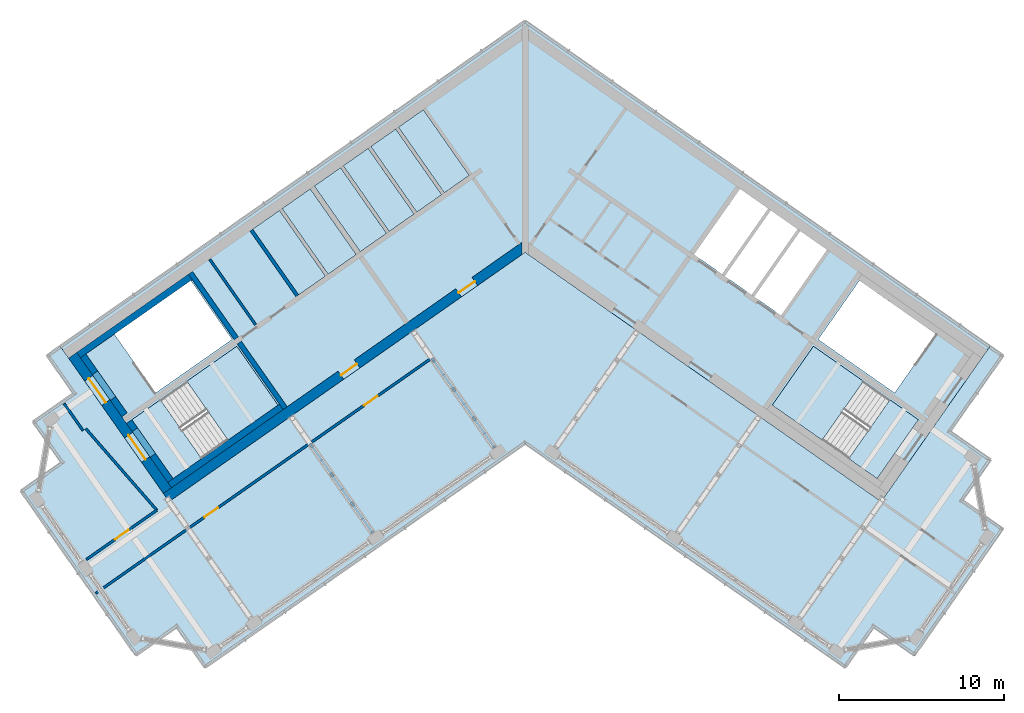
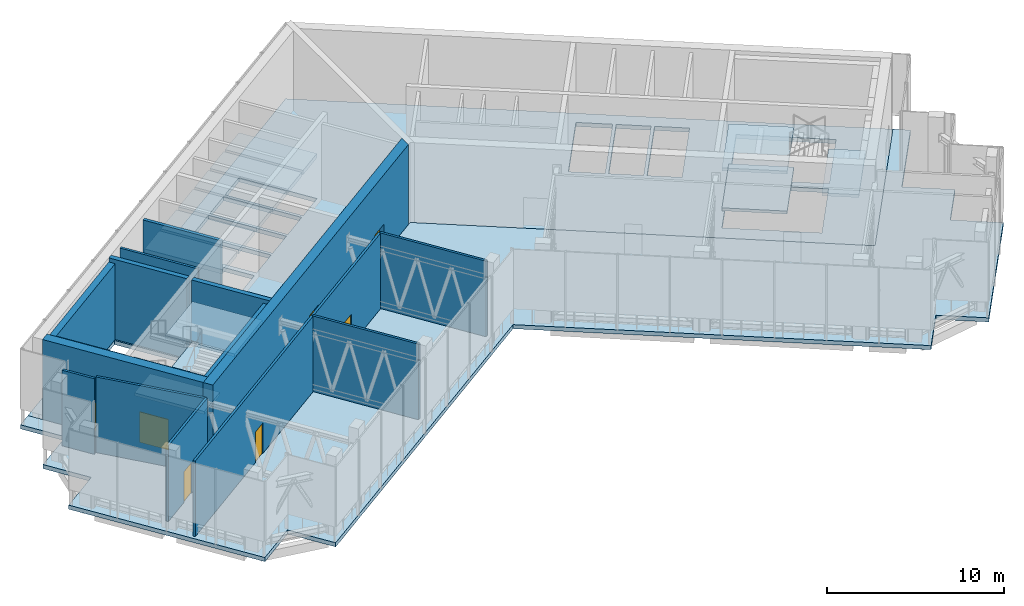
# One storey, part 3 of 16: 21 walls, 14 slabs, 7 doors, 7 openings, 2 elements without a shape of their own.
"""IFC4 building model written with IfcOpenShell, lengths in metres."""

from ifc_helpers import new_model, si_unit, direction, frame, frame_2d, origin, place, context, subcontext, project, spatial, polyline, rectangle, outline, extrude, material, layer, layer_set, type_object, element, fill, aggregate, save


model = new_model("IFC4")

# Units and contexts
model_context = context("Model", 3, precision=1e-05, world=origin(), true_north=direction((0.0, 1.0)))
body_context = subcontext(model_context, "Body", "Model", "MODEL_VIEW")
ifc_project = project(units=[si_unit("LENGTHUNIT", "METRE"), si_unit("AREAUNIT", "SQUARE_METRE"), si_unit("VOLUMEUNIT", "CUBIC_METRE"), si_unit("PLANEANGLEUNIT", "RADIAN"), si_unit("MASSUNIT", "GRAM", prefix="KILO")], contexts=[model_context])

# Site, building, storey
site_placement = place(None, origin())
site = spatial("IfcSite", under=ifc_project, at=site_placement, CompositionType="ELEMENT")
building_placement = place(site_placement, origin())
building = spatial("IfcBuilding", under=site, at=building_placement, Name="Tel Ilan Convention Tower", CompositionType="ELEMENT")
storey_placement = place(building_placement, frame((0.0, 0.0, 313.300048828125)))
storey = spatial("IfcBuildingStorey", under=building, at=storey_placement, Name="L74", CompositionType="ELEMENT", Elevation=313.300048828125)

# Stair, slabs
ifc_material_1 = material(Name="Concrete C40/50", Category="concrete")
stair_type = type_object("IfcStairType", Name="Pressurised Exit Stair 32 risers 172 mm", PredefinedType="HALF_TURN_STAIR", material=ifc_material_1)
stair_1_placement = place(storey_placement, origin())
stair_1 = element("IfcStair", 1, at=stair_1_placement, inside=storey, type_object=stair_type, Name="L74 Pressurised Stair S2", PredefinedType="HALF_TURN_STAIR")
ifc_material_2 = material(Name="Concrete C40/50", Category="concrete")
ifc_layer_1 = layer(ifc_material_2, 0.199951171875)
ifc_layer_set_1 = layer_set([ifc_layer_1], Name="Concrete Stair Landing 200 mm C40/50")
slab_type_1 = type_object("IfcSlabType", Name="Concrete Stair Landing 200 mm", PredefinedType="LANDING", material=ifc_layer_set_1)
slab_1_placement = place(storey_placement, frame((0.0, 0.0, 1.175048828125)))
slab_1 = element("IfcSlab", 2, at=slab_1_placement, type_object=slab_type_1, Name="S2 landing 1", PredefinedType="LANDING", context=body_context, shape_type="SweptSolid", body=[
    extrude(outline(polyline([(-17.972900390625, -12.584716796875), (-14.949462890625, -10.4677734375), (-17.444580078125, -6.904541015625), (-20.468017578125, -9.021484375), (-17.972900390625, -12.584716796875)])), origin(), (0.0, 0.0, 1.0), 0.199951171875),
])
slab_2_placement = place(storey_placement, frame((0.0, 0.0, 2.550048828125)))
slab_2 = element("IfcSlab", 3, at=slab_2_placement, type_object=slab_type_1, Name="S2 landing 2", PredefinedType="LANDING", context=body_context, shape_type="SweptSolid", body=[
    extrude(outline(polyline([(-21.2978515625, -14.9130859375), (-19.5771484375, -13.7080078125), (-22.072021484375, -10.144775390625), (-23.79296875, -11.349609375), (-21.2978515625, -14.9130859375)])), origin(), (0.0, 0.0, 1.0), 0.199951171875),
])
slab_3_placement = place(storey_placement, frame((0.0, 0.0, 3.925048828125)))
slab_3 = element("IfcSlab", 4, at=slab_3_placement, type_object=slab_type_1, Name="S2 landing 3", PredefinedType="LANDING", context=body_context, shape_type="SweptSolid", body=[
    extrude(outline(polyline([(-17.972900390625, -12.584716796875), (-14.949462890625, -10.4677734375), (-17.444580078125, -6.904541015625), (-20.468017578125, -9.021484375), (-17.972900390625, -12.584716796875)])), origin(), (0.0, 0.0, 1.0), 0.199951171875),
])
aggregate(stair_1, [slab_1, slab_2, slab_3])

stair_2_placement = place(storey_placement, origin())
stair_2 = element("IfcStair", 5, at=stair_2_placement, inside=storey, type_object=stair_type, Name="L74 Pressurised Stair S4", PredefinedType="HALF_TURN_STAIR")
slab_4_placement = place(storey_placement, frame((0.0, 0.0, 1.175048828125)))
slab_4 = element("IfcSlab", 6, at=slab_4_placement, type_object=slab_type_1, Name="S4 landing 1", PredefinedType="LANDING", context=body_context, shape_type="SweptSolid", body=[
    extrude(outline(polyline([(20.468017578125, -9.021484375), (17.444580078125, -6.904541015625), (14.949462890625, -10.4677734375), (17.972900390625, -12.584716796875), (20.468017578125, -9.021484375)])), origin(), (0.0, 0.0, 1.0), 0.199951171875),
])
slab_5_placement = place(storey_placement, frame((0.0, 0.0, 2.550048828125)))
slab_5 = element("IfcSlab", 7, at=slab_5_placement, type_object=slab_type_1, Name="S4 landing 2", PredefinedType="LANDING", context=body_context, shape_type="SweptSolid", body=[
    extrude(outline(polyline([(23.79296875, -11.349609375), (22.072021484375, -10.144775390625), (19.5771484375, -13.7080078125), (21.2978515625, -14.9130859375), (23.79296875, -11.349609375)])), origin(), (0.0, 0.0, 1.0), 0.199951171875),
])
slab_6_placement = place(storey_placement, frame((0.0, 0.0, 3.925048828125)))
slab_6 = element("IfcSlab", 8, at=slab_6_placement, type_object=slab_type_1, Name="S4 landing 3", PredefinedType="LANDING", context=body_context, shape_type="SweptSolid", body=[
    extrude(outline(polyline([(20.468017578125, -9.021484375), (17.444580078125, -6.904541015625), (14.949462890625, -10.4677734375), (17.972900390625, -12.584716796875), (20.468017578125, -9.021484375)])), origin(), (0.0, 0.0, 1.0), 0.199951171875),
])
aggregate(stair_2, [slab_4, slab_5, slab_6])

# Slabs
ifc_material_3 = material(Name="Concrete C40/50", Category="concrete")
ifc_layer_2 = layer(ifc_material_3, 0.280029296875)
ifc_layer_set_2 = layer_set([ifc_layer_2], Name="Core Floor Slab 280 mm C40/50")
slab_type_2 = type_object("IfcSlabType", Name="Core Floor Slab 280 mm C40/50", PredefinedType="FLOOR", material=ifc_layer_set_2)
slab_7_placement = place(storey_placement, frame((0.0, 0.0, -0.280029296875)))
element("IfcSlab", 9, at=slab_7_placement, inside=storey, type_object=slab_type_2, Name="L74 core floor 1", PredefinedType="FLOOR", context=body_context, shape_type="SweptSolid", body=[
    extrude(outline(polyline([(28.1396484375, -6.885498046875), (21.54345703125, -16.3056640625), (0.0, -1.220703125), (-21.54345703125, -16.3056640625), (-28.1396484375, -6.885498046875), (0.0, 12.818115234375), (28.1396484375, -6.885498046875)]), holes=[polyline([(-17.444580078125, -6.904541015625), (-22.072021484375, -10.144775390625), (-19.5771484375, -13.7080078125), (-14.949462890625, -10.4677734375), (-17.444580078125, -6.904541015625)]), polyline([(-17.7314453125, -6.494873046875), (-20.226318359375, -2.931640625), (-24.85400390625, -6.171875), (-22.35888671875, -9.735107421875), (-17.7314453125, -6.494873046875)]), polyline([(-14.864990234375, 1.310791015625), (-16.48291015625, 0.177978515625), (-13.701171875, -3.794921875), (-12.083251953125, -2.662109375), (-14.864990234375, 1.310791015625)]), polyline([(-14.701416015625, 1.425537109375), (-11.91943359375, -2.54736328125), (-10.2197265625, -1.357421875), (-13.001708984375, 2.615478515625), (-14.701416015625, 1.425537109375)]), polyline([(-11.168701171875, 3.89892578125), (-12.755859375, 2.78759765625), (-9.97412109375, -1.185302734375), (-8.386962890625, -0.073974609375), (-11.168701171875, 3.89892578125)]), polyline([(-9.499755859375, 5.067626953125), (-11.0048828125, 4.013671875), (-8.222900390625, 0.040771484375), (-6.718017578125, 1.0947265625), (-9.499755859375, 5.067626953125)]), polyline([(-9.3359375, 5.182373046875), (-6.553955078125, 1.20947265625), (-5.048828125, 2.263427734375), (-7.830810546875, 6.236328125), (-9.3359375, 5.182373046875)]), polyline([(17.444580078125, -6.904541015625), (14.949462890625, -10.4677734375), (19.5771484375, -13.7080078125), (22.072021484375, -10.144775390625), (17.444580078125, -6.904541015625)]), polyline([(20.226318359375, -2.931640625), (17.7314453125, -6.494873046875), (22.35888671875, -9.735107421875), (24.85400390625, -6.171875), (20.226318359375, -2.931640625)]), polyline([(15.48291015625, -5.04248046875), (18.2646484375, -1.069580078125), (16.646728515625, 0.063232421875), (13.864990234375, -3.90966796875), (15.48291015625, -5.04248046875)]), polyline([(13.701171875, -3.794921875), (16.48291015625, 0.177978515625), (14.864990234375, 1.310791015625), (12.083251953125, -2.662109375), (13.701171875, -3.794921875)]), polyline([(11.91943359375, -2.54736328125), (14.701416015625, 1.425537109375), (13.001708984375, 2.615478515625), (10.2197265625, -1.357421875), (11.91943359375, -2.54736328125)]), polyline([(-6.16162109375, 7.405029296875), (-7.666748046875, 6.35107421875), (-4.885009765625, 2.378173828125), (-3.3798828125, 3.43212890625), (-6.16162109375, 7.405029296875)])]), origin(), (0.0, 0.0, 1.0), 0.280029296875),
])
ifc_material_4 = material(Name="Concrete C40/50", Category="concrete")
ifc_layer_3 = layer(ifc_material_4, 0.280029296875)
ifc_layer_set_3 = layer_set([ifc_layer_3], Name="Flat Plate Floor Slab 280 mm C40/50")
slab_type_3 = type_object("IfcSlabType", Name="Flat Plate Floor Slab 280 mm C40/50", PredefinedType="FLOOR", material=ifc_layer_set_3)
slab_8_placement = place(storey_placement, frame((0.0, 0.0, -0.280029296875)))
element("IfcSlab", 10, at=slab_8_placement, inside=storey, type_object=slab_type_3, Name="L74 floor slab", PredefinedType="FLOOR", context=body_context, shape_type="SweptSolid", body=[
    extrude(outline(polyline([(28.958740234375, -7.458984375), (25.746826171875, -12.04638671875), (28.2041015625, -13.76708984375), (26.4833984375, -16.224609375), (28.94091796875, -17.9453125), (23.54931640625, -25.645263671875), (21.091796875, -23.924560546875), (19.37109375, -26.382080078125), (0.0, -12.818115234375), (-19.37109375, -26.382080078125), (-21.091796875, -23.924560546875), (-23.54931640625, -25.645263671875), (-30.547119140625, -15.651611328125), (-28.089599609375, -13.930908203125), (-29.810302734375, -11.473388671875), (-27.352783203125, -9.752685546875), (-28.958740234375, -7.458984375), (-28.1396484375, -6.885498046875), (-21.54345703125, -16.3056640625), (0.0, -1.220703125), (21.54345703125, -16.3056640625), (28.1396484375, -6.885498046875), (28.958740234375, -7.458984375)])), origin(), (0.0, 0.0, 1.0), 0.280029296875),
])
ifc_material_5 = material(Name="Concrete C40/50", Category="concrete")
ifc_layer_4 = layer(ifc_material_5, 0.300048828125)
ifc_layer_set_4 = layer_set([ifc_layer_4], Name="Lift Machine Room Deck 300 mm C40/50")
slab_type_4 = type_object("IfcSlabType", Name="Lift Machine Room Deck 300 mm C40/50", PredefinedType="ROOF", material=ifc_layer_set_4)
slab_9_placement = place(storey_placement, frame((0.0, 0.0, 2.800048828125)))
element("IfcSlab", 11, at=slab_9_placement, inside=storey, type_object=slab_type_4, Name="L74 machine room deck over lift HR1", PredefinedType="ROOF", context=body_context, shape_type="SweptSolid", body=[
    extrude(outline(polyline([(-3.3798828125, 3.43212890625), (-4.885009765625, 2.378173828125), (-7.666748046875, 6.35107421875), (-6.16162109375, 7.405029296875), (-3.3798828125, 3.43212890625)])), origin(), (0.0, 0.0, 1.0), 0.2998046875),
])
slab_10_placement = place(storey_placement, frame((0.0, 0.0, 2.800048828125)))
element("IfcSlab", 12, at=slab_10_placement, inside=storey, type_object=slab_type_4, Name="L74 machine room deck over lift HR2", PredefinedType="ROOF", context=body_context, shape_type="SweptSolid", body=[
    extrude(outline(polyline([(-5.048828125, 2.263427734375), (-6.553955078125, 1.20947265625), (-9.3359375, 5.182373046875), (-7.830810546875, 6.236328125), (-5.048828125, 2.263427734375)])), origin(), (0.0, 0.0, 1.0), 0.2998046875),
])
slab_11_placement = place(storey_placement, frame((0.0, 0.0, 2.800048828125)))
element("IfcSlab", 13, at=slab_11_placement, inside=storey, type_object=slab_type_4, Name="L74 machine room deck over lift HR3", PredefinedType="ROOF", context=body_context, shape_type="SweptSolid", body=[
    extrude(outline(polyline([(-6.718017578125, 1.0947265625), (-8.222900390625, 0.040771484375), (-11.0048828125, 4.013671875), (-9.499755859375, 5.067626953125), (-6.718017578125, 1.0947265625)])), origin(), (0.0, 0.0, 1.0), 0.2998046875),
])
slab_12_placement = place(storey_placement, frame((0.0, 0.0, 2.800048828125)))
element("IfcSlab", 14, at=slab_12_placement, inside=storey, type_object=slab_type_4, Name="L74 machine room deck over lift HR4", PredefinedType="ROOF", context=body_context, shape_type="SweptSolid", body=[
    extrude(outline(polyline([(-8.386962890625, -0.073974609375), (-9.97412109375, -1.185302734375), (-12.755859375, 2.78759765625), (-11.168701171875, 3.89892578125), (-8.386962890625, -0.073974609375)])), origin(), (0.0, 0.0, 1.0), 0.2998046875),
])
slab_13_placement = place(storey_placement, frame((0.0, 0.0, 2.800048828125)))
element("IfcSlab", 15, at=slab_13_placement, inside=storey, type_object=slab_type_4, Name="L74 machine room deck over lift HR5", PredefinedType="ROOF", context=body_context, shape_type="SweptSolid", body=[
    extrude(outline(polyline([(-10.2197265625, -1.357421875), (-11.91943359375, -2.54736328125), (-14.701416015625, 1.425537109375), (-13.001708984375, 2.615478515625), (-10.2197265625, -1.357421875)])), origin(), (0.0, 0.0, 1.0), 0.2998046875),
])
slab_14_placement = place(storey_placement, frame((0.0, 0.0, 2.800048828125)))
element("IfcSlab", 16, at=slab_14_placement, inside=storey, type_object=slab_type_4, Name="L74 machine room deck over lift HR6", PredefinedType="ROOF", context=body_context, shape_type="SweptSolid", body=[
    extrude(outline(polyline([(-12.083251953125, -2.662109375), (-13.701171875, -3.794921875), (-16.48291015625, 0.177978515625), (-14.864990234375, 1.310791015625), (-12.083251953125, -2.662109375)])), origin(), (0.0, 0.0, 1.0), 0.2998046875),
])

# Walls
ifc_material_6 = material(Name="Gypsum Plasterboard on Steel Stud", Category="steel")
ifc_layer_5 = layer(ifc_material_6, 0.14990234375)
ifc_layer_set_5 = layer_set([ifc_layer_5], Name="Core Room Partition Wall 150 mm EI 60")
wall_type_1 = type_object("IfcWallType", Name="Core Room Partition Wall 150 mm EI 60", PredefinedType="PARTITIONING", material=ifc_layer_set_5)
wall_1_placement = place(storey_placement, frame((-16.302001953125, -5.6162109375, 0.0), z_axis=(0.0, 0.0, 1.0), x_axis=(-0.573560315113, 0.819163332265, 0.0)))
element("IfcWall", 17, at=wall_1_placement, inside=storey, type_object=wall_type_1, Name="L74 core wall bank-W2-split", PredefinedType="PARTITIONING", context=body_context, shape_type="SweptSolid", body=[
    extrude(rectangle(XDim=4.849853515625, YDim=0.14990234375, at=frame_2d((2.4248046875, 0.0))), origin(), (0.0, 0.0, 1.0), 5.219970703125),
])
ifc_material_7 = material(Name="Concrete C40/50", Category="concrete")
ifc_layer_6 = layer(ifc_material_7, 0.300048828125)
ifc_layer_set_6 = layer_set([ifc_layer_6], Name="Core Shear Wall 300 mm C40/50")
wall_type_2 = type_object("IfcWallType", Name="Core Shear Wall 300 mm C40/50", PredefinedType="SHEAR", material=ifc_layer_set_6)
wall_2_placement = place(storey_placement, frame((-14.515380859375, -10.652099609375, 0.0), z_axis=(0.0, 0.0, 1.0), x_axis=(-0.573560315113, 0.819163332265, 0.0)))
element("IfcWall", 18, at=wall_2_placement, inside=storey, type_object=wall_type_2, Name="L74 core wall W-cross2-1", PredefinedType="SHEAR", context=body_context, shape_type="SweptSolid", body=[
    extrude(outline(polyline([(4.85009765625, 0.14990234375), (0.0, 0.14990234375), (0.0, -0.150146484375), (4.85009765625, -0.14990234375), (4.85009765625, 0.14990234375)])), origin(), (0.0, 0.0, 1.0), 5.5),
])
wall_3_placement = place(storey_placement, frame((-17.46923828125, -6.433349609375, 0.0), z_axis=(0.0, 0.0, 1.0), x_axis=(-0.573594092424, 0.81913968109, 0.0)))
element("IfcWall", 19, at=wall_3_placement, inside=storey, type_object=wall_type_2, Name="L74 core wall W-cross2-2", PredefinedType="SHEAR", context=body_context, shape_type="SweptSolid", body=[
    extrude(outline(polyline([(4.849853515625, -0.150146484375), (4.849853515625, 0.14990234375), (0.0, 0.14990234375), (0.0, -0.14990234375), (4.849853515625, -0.150146484375)])), origin(), (0.0, 0.0, 1.0), 5.5),
])

# Wall, openings, doors
ifc_material_8 = material(Name="Concrete C40/50", Category="concrete")
ifc_layer_7 = layer(ifc_material_8, 0.60009765625)
ifc_layer_set_7 = layer_set([ifc_layer_7], Name="Core Shear Wall 600 mm C40/50")
wall_type_3 = type_object("IfcWallType", Name="Core Shear Wall 600 mm C40/50", PredefinedType="SHEAR", material=ifc_layer_set_7)
wall_4_placement = place(storey_placement, frame((-0.02783203125, -0.8740234375, 0.0), z_axis=(0.0, 0.0, 1.0), x_axis=(-0.819150035022, -0.573579305871, 0.0)))
wall_4 = element("IfcWall", 20, at=wall_4_placement, inside=storey, type_object=wall_type_3, Name="L74 core wall W-front", PredefinedType="SHEAR", context=body_context, shape_type="SweptSolid", body=[
    extrude(outline(polyline([(26.475830078125, 0.2998046875), (0.420166015625, 0.300048828125), (0.000244140625, -0.300048828125), (26.475830078125, -0.300048828125), (26.475830078125, 0.2998046875)])), origin(), (0.0, 0.0, 1.0), 5.5),
])
opening_1_placement = place(wall_4_placement, frame((3.67578125, 0.0, 0.0)))
opening_1 = element("IfcOpeningElement", 21, at=opening_1_placement, cuts=wall_4, Name="Opening CD5606", PredefinedType="OPENING", context=body_context, shape_type="SweptSolid", body=[
    extrude(rectangle(XDim=1.199951171875, YDim=2.10009765625, at=frame_2d((0.60009765625, 1.050048828125))), frame((0.0, 0.31005859375, 0.0), z_axis=(0.0, -1.0, 0.0), x_axis=(1.0, 0.0, 0.0)), (0.0, 0.0, 1.0), 0.6201171875),
])
opening_2_placement = place(wall_4_placement, frame((12.375732421875, 0.0, 0.0)))
opening_2 = element("IfcOpeningElement", 22, at=opening_2_placement, cuts=wall_4, Name="Opening CD5607", PredefinedType="OPENING", context=body_context, shape_type="SweptSolid", body=[
    extrude(rectangle(XDim=1.199951171875, YDim=2.10009765625, at=frame_2d((0.60009765625, 1.050048828125))), frame((0.0, 0.31005859375, 0.0), z_axis=(0.0, -1.0, 0.0), x_axis=(1.0, 0.0, 0.0)), (0.0, 0.0, 1.0), 0.6201171875),
])
ifc_material_9 = material(Name="Galvanised Steel Door Leaf", Category="steel")
door_type_1 = type_object("IfcDoorType", Name="Service Room Door 1200 x 2100 FD60", OperationType="NOTDEFINED", PredefinedType="DOOR", material=ifc_material_9)
door_1_placement = place(opening_1_placement, origin())
door_1 = element("IfcDoor", 23, at=door_1_placement, inside=storey, type_object=door_type_1, Name="Plant Room W1 door", OperationType="SINGLE_SWING_RIGHT", OverallHeight=2.10009765625, OverallWidth=1.199951171875, PredefinedType="DOOR", context=body_context, shape_type="SweptSolid", body=[
    extrude(rectangle(XDim=1.199951171875, YDim=2.10009765625, at=frame_2d((0.60009765625, 1.050048828125))), frame((0.0, 0.02490234375, 0.0), z_axis=(0.0, -1.0, 0.0), x_axis=(1.0, 0.0, 0.0)), (0.0, 0.0, 1.0), 0.050048828125),
])
fill(opening_1, door_1)
door_2_placement = place(opening_2_placement, origin())
door_2 = element("IfcDoor", 24, at=door_2_placement, inside=storey, type_object=door_type_1, Name="Plant Room W2 door", OperationType="SINGLE_SWING_RIGHT", OverallHeight=2.10009765625, OverallWidth=1.199951171875, PredefinedType="DOOR", context=body_context, shape_type="SweptSolid", body=[
    extrude(rectangle(XDim=1.199951171875, YDim=2.10009765625, at=frame_2d((0.60009765625, 1.050048828125))), frame((0.0, 0.02490234375, 0.0), z_axis=(0.0, -1.0, 0.0), x_axis=(1.0, 0.0, 0.0)), (0.0, 0.0, 1.0), 0.050048828125),
])
fill(opening_2, door_2)

wall_5_placement = place(storey_placement, frame((-21.641845703125, -15.64208984375, 0.0), z_axis=(0.0, 0.0, 1.0), x_axis=(-0.573586866468, 0.819144740944, 0.0)))
wall_5 = element("IfcWall", 25, at=wall_5_placement, inside=storey, type_object=wall_type_3, Name="L74 core wall W-end", PredefinedType="SHEAR", context=body_context, shape_type="SweptSolid", body=[
    extrude(outline(polyline([(0.0, 0.300048828125), (0.0, -0.2998046875), (10.0, -0.300048828125), (10.0, 0.300048828125), (0.0, 0.300048828125)])), origin(), (0.0, 0.0, 1.0), 5.5),
])
opening_3_placement = place(wall_5_placement, frame((6.5, 0.0, 0.0)))
opening_3 = element("IfcOpeningElement", 26, at=opening_3_placement, cuts=wall_5, Name="Opening SD5601", PredefinedType="OPENING", context=body_context, shape_type="SweptSolid", body=[
    extrude(rectangle(XDim=1.800048828125, YDim=2.10009765625, at=frame_2d((0.89990234375, 1.050048828125))), frame((0.0, 0.31005859375, 0.0), z_axis=(0.0, -1.0, 0.0), x_axis=(1.0, 0.0, 0.0)), (0.0, 0.0, 1.0), 0.6201171875),
])
opening_4_placement = place(wall_5_placement, frame((2.300048828125, 0.0, 0.0)))
opening_4 = element("IfcOpeningElement", 27, at=opening_4_placement, cuts=wall_5, Name="Opening SD5602", PredefinedType="OPENING", context=body_context, shape_type="SweptSolid", body=[
    extrude(rectangle(XDim=1.800048828125, YDim=2.10009765625, at=frame_2d((0.89990234375, 1.050048828125))), frame((0.0, 0.31005859375, 0.0), z_axis=(0.0, -1.0, 0.0), x_axis=(1.0, 0.0, 0.0)), (0.0, 0.0, 1.0), 0.6201171875),
])
ifc_material_10 = material(Name="Galvanised Steel Door Leaf", Category="steel")
door_type_2 = type_object("IfcDoorType", Name="Stair Fire Door 1800 x 2100 FD60S", OperationType="NOTDEFINED", PredefinedType="DOOR", material=ifc_material_10)
door_3_placement = place(opening_3_placement, origin())
door_3 = element("IfcDoor", 28, at=door_3_placement, inside=storey, type_object=door_type_2, Name="Stair S1 door", OperationType="DOUBLE_DOOR_SINGLE_SWING", OverallHeight=2.10009765625, OverallWidth=1.800048828125, PredefinedType="DOOR", context=body_context, shape_type="SweptSolid", body=[
    extrude(rectangle(XDim=1.800048828125, YDim=2.10009765625, at=frame_2d((0.89990234375, 1.050048828125))), frame((0.0, 0.02490234375, 0.0), z_axis=(0.0, -1.0, 0.0), x_axis=(1.0, 0.0, 0.0)), (0.0, 0.0, 1.0), 0.050048828125),
])
fill(opening_3, door_3)
door_4_placement = place(opening_4_placement, origin())
door_4 = element("IfcDoor", 29, at=door_4_placement, inside=storey, type_object=door_type_2, Name="Stair S2 door", OperationType="DOUBLE_DOOR_SINGLE_SWING", OverallHeight=2.10009765625, OverallWidth=1.800048828125, PredefinedType="DOOR", context=body_context, shape_type="SweptSolid", body=[
    extrude(rectangle(XDim=1.800048828125, YDim=2.10009765625, at=frame_2d((0.89990234375, 1.050048828125))), frame((0.0, 0.02490234375, 0.0), z_axis=(0.0, -1.0, 0.0), x_axis=(1.0, 0.0, 0.0)), (0.0, 0.0, 1.0), 0.050048828125),
])
fill(opening_4, door_4)

# Wall, opening, door
ifc_material_11 = material(Name="Plasterboard on Steel Studs", Category="steel")
ifc_layer_8 = layer(ifc_material_11, 0.14990234375)
ifc_layer_set_8 = layer_set([ifc_layer_8], Name="Fire-rated Partition 150 EI 60")
wall_type_4 = type_object("IfcWallType", Name="Fire-rated Partition 150 EI 60", PredefinedType="PARTITIONING", material=ifc_layer_set_8)
wall_6_placement = place(storey_placement, frame((-26.540283203125, -19.804443359375, 0.0), z_axis=(0.0, 0.0, 1.0), x_axis=(0.819163496387, 0.573560080713, 0.0)))
wall_6 = element("IfcWall", 30, at=wall_6_placement, inside=storey, type_object=wall_type_4, Name="Partition 005", PredefinedType="PARTITIONING", context=body_context, shape_type="SweptSolid", body=[
    extrude(rectangle(XDim=5.19677734375, YDim=0.14990234375, at=frame_2d((2.598388671875, 0.0))), origin(), (0.0, 0.0, 1.0), 5.199951171875),
])
opening_5_placement = place(wall_6_placement, frame((2.098388671875, 0.0, 0.0)))
opening_5 = element("IfcOpeningElement", 31, at=opening_5_placement, cuts=wall_6, Name="Opening L74-003", PredefinedType="OPENING", context=body_context, shape_type="SweptSolid", body=[
    extrude(rectangle(XDim=1.0, YDim=2.10009765625, at=frame_2d((0.5, 1.050048828125))), frame((0.0, 0.0849609375, 0.0), z_axis=(0.0, -1.0, 0.0), x_axis=(1.0, 0.0, 0.0)), (0.0, 0.0, 1.0), 0.169921875),
])
ifc_material_12 = material(Name="Timber Door Leaf in Steel Frame", Category="steel")
door_type_3 = type_object("IfcDoorType", Name="Plant Room Fire Door 1000x2100", OperationType="NOTDEFINED", PredefinedType="DOOR", material=ifc_material_12)
door_5_placement = place(opening_5_placement, origin())
door_5 = element("IfcDoor", 32, at=door_5_placement, inside=storey, type_object=door_type_3, Name="Door L74-003", OperationType="SINGLE_SWING_RIGHT", OverallHeight=2.10009765625, OverallWidth=1.0, PredefinedType="DOOR", context=body_context, shape_type="SweptSolid", body=[
    extrude(rectangle(XDim=1.0, YDim=2.10009765625, at=frame_2d((0.5, 1.050048828125))), frame((0.0, 0.02490234375, 0.0), z_axis=(0.0, -1.0, 0.0), x_axis=(1.0, 0.0, 0.0)), (0.0, 0.0, 1.0), 0.050048828125),
])
fill(opening_5, door_5)

wall_7_placement = place(storey_placement, frame((-5.651611328125, -7.61962890625, 0.0), z_axis=(0.0, 0.0, 1.0), x_axis=(-0.81915291695, -0.57357519006, 0.0)))
wall_7 = element("IfcWall", 33, at=wall_7_placement, inside=storey, type_object=wall_type_4, Name="Partition 006", PredefinedType="PARTITIONING", context=body_context, shape_type="SweptSolid", body=[
    extrude(rectangle(XDim=9.001953125, YDim=0.14990234375, at=frame_2d((4.5009765625, 0.0))), origin(), (0.0, 0.0, 1.0), 5.199951171875),
])
opening_6_placement = place(wall_7_placement, frame((4.0009765625, 0.0, 0.0)))
opening_6 = element("IfcOpeningElement", 34, at=opening_6_placement, cuts=wall_7, Name="Opening L74-001", PredefinedType="OPENING", context=body_context, shape_type="SweptSolid", body=[
    extrude(rectangle(XDim=1.0, YDim=2.10009765625, at=frame_2d((0.5, 1.050048828125))), frame((0.0, 0.0849609375, 0.0), z_axis=(0.0, -1.0, 0.0), x_axis=(1.0, 0.0, 0.0)), (0.0, 0.0, 1.0), 0.169921875),
])
door_6_placement = place(opening_6_placement, origin())
door_6 = element("IfcDoor", 35, at=door_6_placement, inside=storey, type_object=door_type_3, Name="Door L74-001", OperationType="SINGLE_SWING_RIGHT", OverallHeight=2.10009765625, OverallWidth=1.0, PredefinedType="DOOR", context=body_context, shape_type="SweptSolid", body=[
    extrude(rectangle(XDim=1.0, YDim=2.10009765625, at=frame_2d((0.5, 1.050048828125))), frame((0.0, 0.02490234375, 0.0), z_axis=(0.0, -1.0, 0.0), x_axis=(1.0, 0.0, 0.0)), (0.0, 0.0, 1.0), 0.050048828125),
])
fill(opening_6, door_6)

wall_8_placement = place(storey_placement, frame((-13.0224609375, -12.78076171875, 0.0), z_axis=(0.0, 0.0, 1.0), x_axis=(-0.819154247226, -0.573573290217, 0.0)))
wall_8 = element("IfcWall", 36, at=wall_8_placement, inside=storey, type_object=wall_type_4, Name="Partition 007", PredefinedType="PARTITIONING", context=body_context, shape_type="SweptSolid", body=[
    extrude(rectangle(XDim=15.8017578125, YDim=0.14990234375, at=frame_2d((7.90087890625, 0.0))), origin(), (0.0, 0.0, 1.0), 5.199951171875),
])
opening_7_placement = place(wall_8_placement, frame((6.801025390625, 0.0, 0.0)))
opening_7 = element("IfcOpeningElement", 37, at=opening_7_placement, cuts=wall_8, Name="Opening L74-002", PredefinedType="OPENING", context=body_context, shape_type="SweptSolid", body=[
    extrude(rectangle(XDim=1.0, YDim=2.10009765625, at=frame_2d((0.5, 1.050048828125))), frame((0.0, 0.0849609375, 0.0), z_axis=(0.0, -1.0, 0.0), x_axis=(1.0, 0.0, 0.0)), (0.0, 0.0, 1.0), 0.169921875),
])
door_7_placement = place(opening_7_placement, origin())
door_7 = element("IfcDoor", 38, at=door_7_placement, inside=storey, type_object=door_type_3, Name="Door L74-002", OperationType="SINGLE_SWING_LEFT", OverallHeight=2.10009765625, OverallWidth=1.0, PredefinedType="DOOR", context=body_context, shape_type="SweptSolid", body=[
    extrude(rectangle(XDim=1.0, YDim=2.10009765625, at=frame_2d((0.5, 1.050048828125))), frame((0.0, 0.02490234375, 0.0), z_axis=(0.0, -1.0, 0.0), x_axis=(1.0, 0.0, 0.0)), (0.0, 0.0, 1.0), 0.050048828125),
])
fill(opening_7, door_7)

# Walls
wall_9_placement = place(storey_placement, frame((-1.848876953125, -13.050537109375, 0.0), z_axis=(0.0, 0.0, 1.0), x_axis=(-0.573575988258, 0.819152358047, 0.0)))
element("IfcWall", 39, at=wall_9_placement, inside=storey, type_object=wall_type_4, Name="Partition 011", PredefinedType="PARTITIONING", context=body_context, shape_type="SweptSolid", body=[
    extrude(rectangle(XDim=6.632080078125, YDim=0.14990234375, at=frame_2d((3.31591796875, 0.0))), origin(), (0.0, 0.0, 1.0), 5.199951171875),
])
wall_10_placement = place(storey_placement, frame((-26.74609375, -12.013671875, 0.0), z_axis=(0.0, 0.0, 1.0), x_axis=(-0.573568836472, 0.819157365729, 0.0)))
element("IfcWall", 40, at=wall_10_placement, inside=storey, type_object=wall_type_4, Name="Partition 012", PredefinedType="PARTITIONING", context=body_context, shape_type="SweptSolid", body=[
    extrude(rectangle(XDim=2.000244140625, YDim=0.14990234375, at=frame_2d((1.0, 0.0))), origin(), (0.0, 0.0, 1.0), 5.199951171875),
])
wall_11_placement = place(storey_placement, frame((-22.28369140625, -16.826416015625, 0.0), z_axis=(0.0, 0.0, 1.0), x_axis=(-0.656758142177, 0.754101281449, 0.0)))
element("IfcWall", 41, at=wall_11_placement, inside=storey, type_object=wall_type_4, Name="Partition 013", PredefinedType="PARTITIONING", context=body_context, shape_type="SweptSolid", body=[
    extrude(rectangle(XDim=6.53857421875, YDim=0.14990234375, at=frame_2d((3.269287109375, 0.0))), origin(), (0.0, 0.0, 1.0), 5.199951171875),
])
wall_12_placement = place(storey_placement, frame((-9.22119140625, -18.212890625, 0.0), z_axis=(0.0, 0.0, 1.0), x_axis=(-0.573556251799, 0.819166177294, 0.0)))
element("IfcWall", 42, at=wall_12_placement, inside=storey, type_object=wall_type_4, Name="Partition 014", PredefinedType="PARTITIONING", context=body_context, shape_type="SweptSolid", body=[
    extrude(rectangle(XDim=6.630126953125, YDim=0.14990234375, at=frame_2d((3.31494140625, 0.0))), origin(), (0.0, 0.0, 1.0), 5.199951171875),
])
ifc_material_13 = material(Name="Concrete C30/37", Category="concrete")
ifc_layer_9 = layer(ifc_material_13, 0.199951171875)
ifc_layer_set_9 = layer_set([ifc_layer_9], Name="Lift Shaft Wall 200 mm C30/37")
wall_type_5 = type_object("IfcWallType", Name="Lift Shaft Wall 200 mm C30/37", PredefinedType="SOLIDWALL", material=ifc_layer_set_9)
wall_13_placement = place(storey_placement, frame((-13.782958984375, -3.852294921875, 0.0), z_axis=(0.0, 0.0, 1.0), x_axis=(-0.573594092424, 0.81913968109, 0.0)))
element("IfcWall", 43, at=wall_13_placement, inside=storey, type_object=wall_type_5, Name="L74 core wall bank-W2-p1", PredefinedType="SOLIDWALL", context=body_context, shape_type="SweptSolid", body=[
    extrude(rectangle(XDim=4.85009765625, YDim=0.199951171875, at=frame_2d((2.425048828125, 0.0))), origin(), (0.0, 0.0, 1.0), 5.219970703125),
])
ifc_material_14 = material(Name="Concrete C30/37", Category="concrete")
ifc_layer_10 = layer(ifc_material_14, 0.39990234375)
ifc_layer_set_10 = layer_set([ifc_layer_10], Name="Stair and Shaft Lining Wall 400 mm C30/37")
wall_type_6 = type_object("IfcWallType", Name="Stair and Shaft Lining Wall 400 mm C30/37", PredefinedType="SOLIDWALL", material=ifc_layer_set_10)
wall_14_placement = place(storey_placement, frame((-20.25927734375, -2.71044921875, 0.0), z_axis=(0.0, 0.0, 1.0), x_axis=(-0.81914849389, -0.573581506813, 0.0)))
element("IfcWall", 44, at=wall_14_placement, inside=storey, type_object=wall_type_6, Name="L74 core wall lining-S1-t1", PredefinedType="SOLIDWALL", context=body_context, shape_type="SweptSolid", body=[
    extrude(rectangle(XDim=8.249755859375, YDim=0.39990234375, at=frame_2d((4.125, 0.0))), origin(), (0.0, 0.0, 1.0), 5.219970703125),
])
wall_15_placement = place(storey_placement, frame((-24.24365234375, -11.0546875, 0.0), z_axis=(0.0, 0.0, 1.0), x_axis=(-0.573571582932, 0.819155442668, 0.0)))
element("IfcWall", 45, at=wall_15_placement, inside=storey, type_object=wall_type_6, Name="L74 core wall lining-S1-u1-0", PredefinedType="SOLIDWALL", context=body_context, shape_type="SweptSolid", body=[
    extrude(rectangle(XDim=1.199951171875, YDim=0.39990234375, at=frame_2d((0.60009765625, 0.0))), origin(), (0.0, 0.0, 1.0), 5.219970703125),
])
wall_16_placement = place(storey_placement, frame((-26.021728515625, -8.515380859375, 0.0), z_axis=(0.0, 0.0, 1.0), x_axis=(-0.573619628835, 0.819121798889, 0.0)))
element("IfcWall", 46, at=wall_16_placement, inside=storey, type_object=wall_type_6, Name="L74 core wall lining-S1-u1-1", PredefinedType="SOLIDWALL", context=body_context, shape_type="SweptSolid", body=[
    extrude(rectangle(XDim=1.25, YDim=0.39990234375, at=frame_2d((0.625, 0.0))), origin(), (0.0, 0.0, 1.0), 5.219970703125),
])
wall_17_placement = place(storey_placement, frame((-24.931884765625, -10.07177734375, 2.14990234375), z_axis=(0.0, 0.0, 1.0), x_axis=(-0.573591692345, 0.819141361715, 0.0)))
element("IfcWall", 47, at=wall_17_placement, inside=storey, type_object=wall_type_6, Name="L74 core wall lining-S1-u1-lintel", PredefinedType="SOLIDWALL", context=body_context, shape_type="SweptSolid", body=[
    extrude(rectangle(XDim=1.900146484375, YDim=0.39990234375, at=frame_2d((0.9501953125, 0.0))), origin(), (0.0, 0.0, 1.0), 3.070068359375),
])
wall_18_placement = place(storey_placement, frame((-14.7529296875, -10.57421875, 0.0), z_axis=(0.0, 0.0, 1.0), x_axis=(-0.819158229677, -0.573567602601, 0.0)))
element("IfcWall", 48, at=wall_18_placement, inside=storey, type_object=wall_type_6, Name="L74 core wall lining-S2-t0", PredefinedType="SOLIDWALL", context=body_context, shape_type="SweptSolid", body=[
    extrude(rectangle(XDim=8.25, YDim=0.39990234375, at=frame_2d((4.125, 0.0))), origin(), (0.0, 0.0, 1.0), 5.219970703125),
])
wall_19_placement = place(storey_placement, frame((-21.4619140625, -15.027587890625, 0.0), z_axis=(0.0, 0.0, 1.0), x_axis=(-0.573559770908, 0.819163713305, 0.0)))
element("IfcWall", 49, at=wall_19_placement, inside=storey, type_object=wall_type_6, Name="L74 core wall lining-S2-u1-0", PredefinedType="SOLIDWALL", context=body_context, shape_type="SweptSolid", body=[
    extrude(rectangle(XDim=1.849853515625, YDim=0.39990234375, at=frame_2d((0.9248046875, 0.0))), origin(), (0.0, 0.0, 1.0), 5.219970703125),
])
wall_20_placement = place(storey_placement, frame((-23.61279296875, -11.955810546875, 0.0), z_axis=(0.0, 0.0, 1.0), x_axis=(-0.573435029941, 0.819251039936, 0.0)))
element("IfcWall", 50, at=wall_20_placement, inside=storey, type_object=wall_type_6, Name="L74 core wall lining-S2-u1-1", PredefinedType="SOLIDWALL", context=body_context, shape_type="SweptSolid", body=[
    extrude(rectangle(XDim=0.599853515625, YDim=0.39990234375, at=frame_2d((0.2998046875, 0.0))), origin(), (0.0, 0.0, 1.0), 5.219970703125),
])
wall_21_placement = place(storey_placement, frame((-22.52294921875, -13.51220703125, 2.14990234375), z_axis=(0.0, 0.0, 1.0), x_axis=(-0.573591692345, 0.819141361715, 0.0)))
element("IfcWall", 51, at=wall_21_placement, inside=storey, type_object=wall_type_6, Name="L74 core wall lining-S2-u1-lintel", PredefinedType="SOLIDWALL", context=body_context, shape_type="SweptSolid", body=[
    extrude(rectangle(XDim=1.900146484375, YDim=0.39990234375, at=frame_2d((0.9501953125, 0.0))), origin(), (0.0, 0.0, 1.0), 3.070068359375),
])

save(model, "model.ifc")
